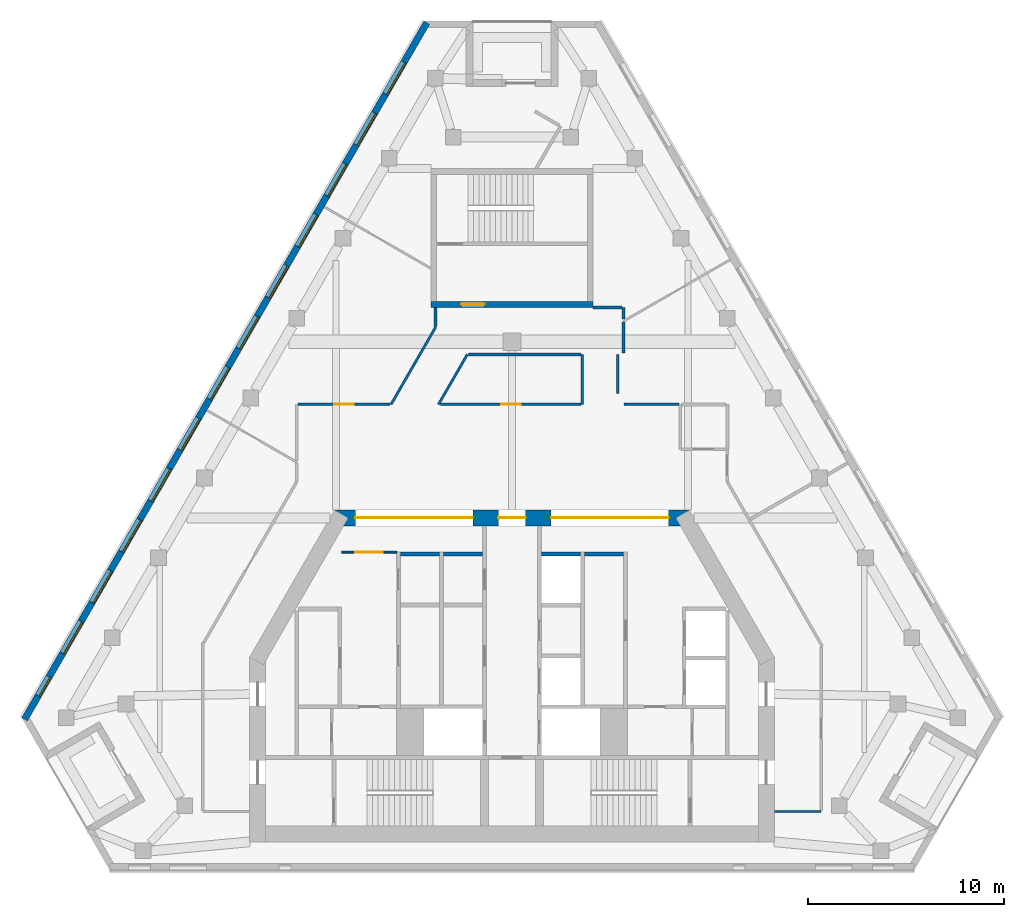
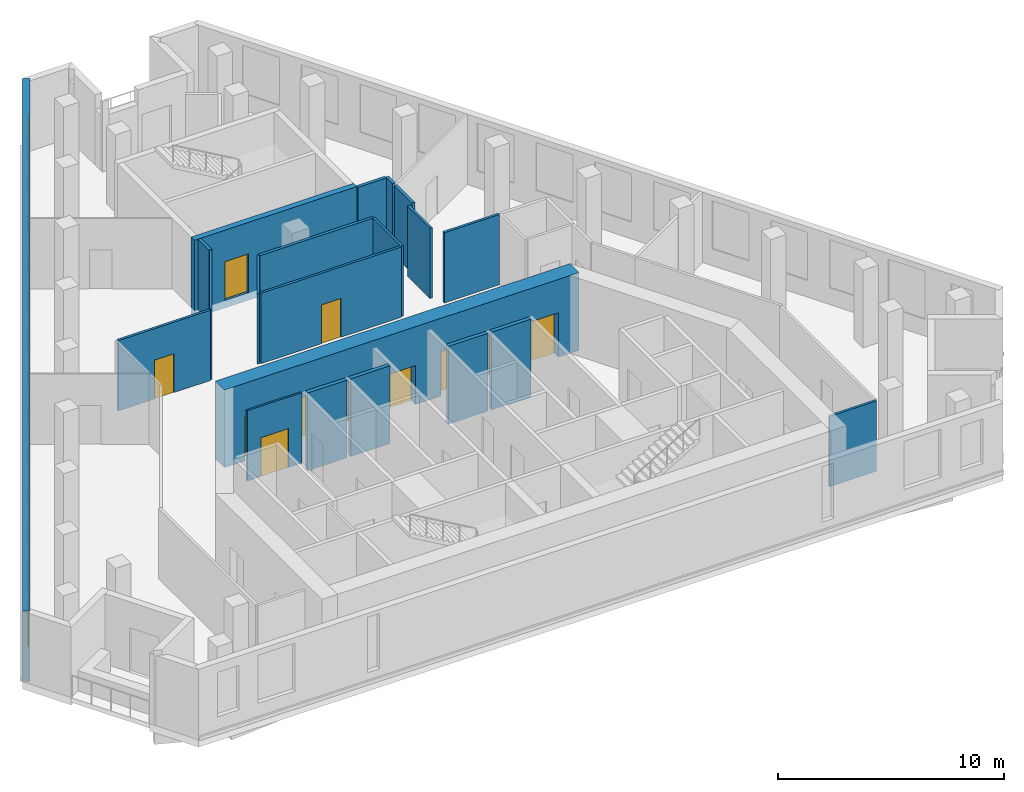
# One storey, part 4 of 8: 21 walls, 13 windows, 7 doors, 20 openings.
"""IFC4 building model written with IfcOpenShell, lengths in metres."""

from ifc_helpers import new_model, si_unit, direction, frame, frame_2d, origin, place, context, subcontext, project, spatial, rectangle, extrude, material, layer, layer_set, type_object, element, fill, save


model = new_model("IFC4")

# Units and contexts
model_context = context("Model", 3, precision=1e-05, world=origin(), true_north=direction((0.0, 1.0)))
body_context = subcontext(model_context, "Body", "Model", "MODEL_VIEW")
ifc_project = project(units=[si_unit("LENGTHUNIT", "METRE"), si_unit("AREAUNIT", "SQUARE_METRE"), si_unit("VOLUMEUNIT", "CUBIC_METRE"), si_unit("PLANEANGLEUNIT", "RADIAN"), si_unit("MASSUNIT", "GRAM", prefix="KILO")], contexts=[model_context])

# Site, building, storey
site_placement = place(None, origin())
site = spatial("IfcSite", under=ifc_project, at=site_placement, CompositionType="ELEMENT")
building_placement = place(site_placement, origin())
building = spatial("IfcBuilding", under=site, at=building_placement, Name="Fogline Exchange Tower", CompositionType="ELEMENT")
storey_placement = place(building_placement, frame((0.0, 0.0, 300.300048828125)))
storey = spatial("IfcBuildingStorey", under=building, at=storey_placement, Name="L68", CompositionType="ELEMENT", Elevation=300.300048828125)

# Wall, opening, door
ifc_material_1 = material(Name="Blockwork partition", Category="masonry")
ifc_layer_1 = layer(ifc_material_1, 0.10009765625)
ifc_layer_set_1 = layer_set([ifc_layer_1], Name="CW10")
wall_type_1 = type_object("IfcWallType", Name="CW10", PredefinedType="PARTITIONING", material=ifc_layer_set_1)
wall_1_placement = place(storey_placement, frame((-8.699951171875, 16.25, 0.0), z_axis=(0.0, 0.0, 1.0), x_axis=(1.0, 0.0, 0.0)))
wall_1 = element("IfcWall", 1, at=wall_1_placement, inside=storey, type_object=wall_type_1, Name="Lift lobby partition", PredefinedType="PARTITIONING", context=body_context, shape_type="SweptSolid", body=[
    extrude(rectangle(XDim=2.800048828125, YDim=0.10009765625, at=frame_2d((1.39990234375, 0.0))), origin(), (0.0, 0.0, 1.0), 3.800048828125),
])
opening_1_placement = place(wall_1_placement, frame((0.699951171875, 0.0, 0.0)))
opening_1 = element("IfcOpeningElement", 2, at=opening_1_placement, cuts=wall_1, Name="Opening T21-C009", PredefinedType="OPENING", context=body_context, shape_type="SweptSolid", body=[
    extrude(rectangle(XDim=1.39990234375, YDim=2.10009765625, at=frame_2d((0.699951171875, 1.050048828125))), frame((0.0, 0.06005859375, 0.0), z_axis=(0.0, -1.0, 0.0), x_axis=(1.0, 0.0, 0.0)), (0.0, 0.0, 1.0), 0.1201171875),
])
ifc_material_2 = material(Name="Steel and timber fire door", Category="steel")
door_type_1 = type_object("IfcDoorType", Name="D-LB1", OperationType="DOUBLE_DOOR_SINGLE_SWING", PredefinedType="DOOR", material=ifc_material_2)
door_1_placement = place(opening_1_placement, origin())
door_1 = element("IfcDoor", 3, at=door_1_placement, inside=storey, type_object=door_type_1, Name="Door to lift lobby", OperationType="DOUBLE_DOOR_SINGLE_SWING", OverallHeight=2.10009765625, OverallWidth=1.39990234375, PredefinedType="DOOR", context=body_context, shape_type="SweptSolid", body=[
    extrude(rectangle(XDim=1.39990234375, YDim=2.10009765625, at=frame_2d((0.699951171875, 1.050048828125))), frame((0.0, 0.02490234375, 0.0), z_axis=(0.0, -1.0, 0.0), x_axis=(1.0, 0.0, 0.0)), (0.0, 0.0, 1.0), 0.050048828125),
])
fill(opening_1, door_1)

# Walls
ifc_material_3 = material(Name="Concrete C40", Category="concrete")
ifc_layer_2 = layer(ifc_material_3, 0.199951171875)
ifc_layer_set_2 = layer_set([ifc_layer_2], Name="CW20S")
wall_type_2 = type_object("IfcWallType", Name="CW20S", PredefinedType="SOLIDWALL", material=ifc_layer_set_2)
for number, where, z_axis, x_axis, name in (
    (4, (-5.699951171875, 16.14990234375, -0.400146484375), (0.0, 0.0, 1.0), (1.0, 0.0, 0.0), "Lift shaft wall"),
    (5, (-3.5, 16.14990234375, -0.400146484375), (0.0, 0.0, 1.0), (1.0, 0.0, 0.0), "Lift shaft wall"),
    (6, (3.699951171875, 16.14990234375, -0.400146484375), (0.0, 0.0, 1.0), (1.0, 0.0, 0.0), "Lift shaft wall"),
    (7, (1.5, 16.14990234375, -0.400146484375), (0.0, 0.0, 1.0), (1.0, 0.0, 0.0), "Lift shaft wall"),
):
    element("IfcWall", number, at=place(storey_placement, frame(where, z_axis=z_axis, x_axis=x_axis)), inside=storey, type_object=wall_type_2, Name=name, PredefinedType="SOLIDWALL", context=body_context, shape_type="SweptSolid", body=[
        extrude(rectangle(XDim=2.0, YDim=0.199951171875, at=frame_2d((1.0, 0.0))), origin(), (0.0, 0.0, 1.0), 4.2001953125),
    ])

# Wall, opening, door
ifc_layer_3 = layer(ifc_material_3, 0.300048828125)
ifc_layer_set_3 = layer_set([ifc_layer_3], Name="CW30")
wall_type_3 = type_object("IfcWallType", Name="CW30", PredefinedType="SOLIDWALL", material=ifc_layer_set_3)
wall_2_placement = place(storey_placement, frame((-4.14990234375, 28.906982421875, -0.400146484375), z_axis=(0.0, 0.0, 1.0), x_axis=(1.0, 0.0, 0.0)))
wall_2 = element("IfcWall", 8, at=wall_2_placement, inside=storey, type_object=wall_type_3, Name="Stair enclosure wall ST3", PredefinedType="SOLIDWALL", context=body_context, shape_type="SweptSolid", body=[
    extrude(rectangle(XDim=8.2998046875, YDim=0.300048828125, at=frame_2d((4.14990234375, 0.0))), origin(), (0.0, 0.0, 1.0), 4.2001953125),
])
opening_2_placement = place(wall_2_placement, frame((1.550048828125, 0.0, 0.39990234375)))
opening_2 = element("IfcOpeningElement", 9, at=opening_2_placement, cuts=wall_2, Name="Opening T21-C023", PredefinedType="OPENING", context=body_context, shape_type="SweptSolid", body=[
    extrude(rectangle(XDim=1.199951171875, YDim=2.10009765625, at=frame_2d((0.60009765625, 1.050048828125))), frame((0.0, 0.16015625, 0.0), z_axis=(0.0, -1.0, 0.0), x_axis=(1.0, 0.0, 0.0)), (0.0, 0.0, 1.0), 0.320068359375),
])
door_type_2 = type_object("IfcDoorType", Name="D-FR1", OperationType="SINGLE_SWING_RIGHT", PredefinedType="DOOR", material=ifc_material_2)
door_2_placement = place(opening_2_placement, origin())
door_2 = element("IfcDoor", 10, at=door_2_placement, inside=storey, type_object=door_type_2, Name="Front room door ST3", OperationType="SINGLE_SWING_LEFT", OverallHeight=2.10009765625, OverallWidth=1.199951171875, PredefinedType="DOOR", context=body_context, shape_type="SweptSolid", body=[
    extrude(rectangle(XDim=1.199951171875, YDim=2.10009765625, at=frame_2d((0.60009765625, 1.050048828125))), frame((0.0, 0.02490234375, 0.0), z_axis=(0.0, -1.0, 0.0), x_axis=(1.0, 0.0, 0.0)), (0.0, 0.0, 1.0), 0.050048828125),
])
fill(opening_2, door_2)

# Wall, openings, windows
ifc_material_4 = material(Name="Brick masonry", Category="masonry")
ifc_layer_4 = layer(ifc_material_4, 0.340087890625)
ifc_layer_set_4 = layer_set([ifc_layer_4], Name="FW1")
wall_type_4 = type_object("IfcWallType", Name="FW1", PredefinedType="SOLIDWALL", material=ifc_layer_set_4)
wall_3_placement = place(storey_placement, frame((-4.352783203125, 43.306640625, 0.0), z_axis=(0.0, 0.0, 1.0), x_axis=(-0.50000128873, -0.866024659735, 0.0)))
wall_3 = element("IfcWall", 11, at=wall_3_placement, inside=storey, type_object=wall_type_4, Name="Brick wall L68 W", PredefinedType="SOLIDWALL", context=body_context, shape_type="SweptSolid", body=[
    extrude(rectangle(XDim=41.1044921875, YDim=0.340087890625, at=frame_2d((20.55224609375, 0.0))), origin(), (0.0, 0.0, 1.0), 3.800048828125),
])
opening_3_placement = place(wall_3_placement, frame((2.328369140625, 0.0, 0.89990234375)))
opening_3 = element("IfcOpeningElement", 12, at=opening_3_placement, cuts=wall_3, Name="Opening W3", PredefinedType="OPENING", context=body_context, shape_type="SweptSolid", body=[
    extrude(rectangle(XDim=1.885009765625, YDim=2.60009765625, at=frame_2d((0.9423828125, 1.300048828125))), frame((0.0, 0.18017578125, 0.0), z_axis=(0.0, -1.0, 0.0), x_axis=(1.0, 0.0, 0.0)), (0.0, 0.0, 1.0), 0.360107421875),
])
opening_4_placement = place(wall_3_placement, frame((5.328369140625, 0.0, 0.89990234375)))
opening_4 = element("IfcOpeningElement", 13, at=opening_4_placement, cuts=wall_3, Name="Opening W3", PredefinedType="OPENING", context=body_context, shape_type="SweptSolid", body=[
    extrude(rectangle(XDim=1.885009765625, YDim=2.60009765625, at=frame_2d((0.9423828125, 1.300048828125))), frame((0.0, 0.18017578125, 0.0), z_axis=(0.0, -1.0, 0.0), x_axis=(1.0, 0.0, 0.0)), (0.0, 0.0, 1.0), 0.360107421875),
])
opening_5_placement = place(wall_3_placement, frame((8.328369140625, 0.0, 0.89990234375)))
opening_5 = element("IfcOpeningElement", 14, at=opening_5_placement, cuts=wall_3, Name="Opening W3", PredefinedType="OPENING", context=body_context, shape_type="SweptSolid", body=[
    extrude(rectangle(XDim=1.885009765625, YDim=2.60009765625, at=frame_2d((0.9423828125, 1.300048828125))), frame((0.0, 0.18017578125, 0.0), z_axis=(0.0, -1.0, 0.0), x_axis=(1.0, 0.0, 0.0)), (0.0, 0.0, 1.0), 0.360107421875),
])
opening_6_placement = place(wall_3_placement, frame((11.328369140625, 0.0, 0.89990234375)))
opening_6 = element("IfcOpeningElement", 15, at=opening_6_placement, cuts=wall_3, Name="Opening W3", PredefinedType="OPENING", context=body_context, shape_type="SweptSolid", body=[
    extrude(rectangle(XDim=1.885009765625, YDim=2.60009765625, at=frame_2d((0.9423828125, 1.300048828125))), frame((0.0, 0.18017578125, 0.0), z_axis=(0.0, -1.0, 0.0), x_axis=(1.0, 0.0, 0.0)), (0.0, 0.0, 1.0), 0.360107421875),
])
opening_7_placement = place(wall_3_placement, frame((14.328369140625, 0.0, 0.89990234375)))
opening_7 = element("IfcOpeningElement", 16, at=opening_7_placement, cuts=wall_3, Name="Opening W3", PredefinedType="OPENING", context=body_context, shape_type="SweptSolid", body=[
    extrude(rectangle(XDim=1.885009765625, YDim=2.60009765625, at=frame_2d((0.9423828125, 1.300048828125))), frame((0.0, 0.18017578125, 0.0), z_axis=(0.0, -1.0, 0.0), x_axis=(1.0, 0.0, 0.0)), (0.0, 0.0, 1.0), 0.360107421875),
])
opening_8_placement = place(wall_3_placement, frame((17.328369140625, 0.0, 0.89990234375)))
opening_8 = element("IfcOpeningElement", 17, at=opening_8_placement, cuts=wall_3, Name="Opening W3", PredefinedType="OPENING", context=body_context, shape_type="SweptSolid", body=[
    extrude(rectangle(XDim=1.885009765625, YDim=2.60009765625, at=frame_2d((0.9423828125, 1.300048828125))), frame((0.0, 0.18017578125, 0.0), z_axis=(0.0, -1.0, 0.0), x_axis=(1.0, 0.0, 0.0)), (0.0, 0.0, 1.0), 0.360107421875),
])
opening_9_placement = place(wall_3_placement, frame((20.328369140625, 0.0, 0.89990234375)))
opening_9 = element("IfcOpeningElement", 18, at=opening_9_placement, cuts=wall_3, Name="Opening W3", PredefinedType="OPENING", context=body_context, shape_type="SweptSolid", body=[
    extrude(rectangle(XDim=1.885009765625, YDim=2.60009765625, at=frame_2d((0.9423828125, 1.300048828125))), frame((0.0, 0.18017578125, 0.0), z_axis=(0.0, -1.0, 0.0), x_axis=(1.0, 0.0, 0.0)), (0.0, 0.0, 1.0), 0.360107421875),
])
opening_10_placement = place(wall_3_placement, frame((23.328369140625, 0.0, 0.89990234375)))
opening_10 = element("IfcOpeningElement", 19, at=opening_10_placement, cuts=wall_3, Name="Opening W3", PredefinedType="OPENING", context=body_context, shape_type="SweptSolid", body=[
    extrude(rectangle(XDim=1.885009765625, YDim=2.60009765625, at=frame_2d((0.9423828125, 1.300048828125))), frame((0.0, 0.18017578125, 0.0), z_axis=(0.0, -1.0, 0.0), x_axis=(1.0, 0.0, 0.0)), (0.0, 0.0, 1.0), 0.360107421875),
])
opening_11_placement = place(wall_3_placement, frame((26.328369140625, 0.0, 0.89990234375)))
opening_11 = element("IfcOpeningElement", 20, at=opening_11_placement, cuts=wall_3, Name="Opening W3", PredefinedType="OPENING", context=body_context, shape_type="SweptSolid", body=[
    extrude(rectangle(XDim=1.885009765625, YDim=2.60009765625, at=frame_2d((0.9423828125, 1.300048828125))), frame((0.0, 0.18017578125, 0.0), z_axis=(0.0, -1.0, 0.0), x_axis=(1.0, 0.0, 0.0)), (0.0, 0.0, 1.0), 0.360107421875),
])
opening_12_placement = place(wall_3_placement, frame((29.328369140625, 0.0, 0.89990234375)))
opening_12 = element("IfcOpeningElement", 21, at=opening_12_placement, cuts=wall_3, Name="Opening W3", PredefinedType="OPENING", context=body_context, shape_type="SweptSolid", body=[
    extrude(rectangle(XDim=1.885009765625, YDim=2.60009765625, at=frame_2d((0.9423828125, 1.300048828125))), frame((0.0, 0.18017578125, 0.0), z_axis=(0.0, -1.0, 0.0), x_axis=(1.0, 0.0, 0.0)), (0.0, 0.0, 1.0), 0.360107421875),
])
opening_13_placement = place(wall_3_placement, frame((32.328369140625, 0.0, 0.89990234375)))
opening_13 = element("IfcOpeningElement", 22, at=opening_13_placement, cuts=wall_3, Name="Opening W3", PredefinedType="OPENING", context=body_context, shape_type="SweptSolid", body=[
    extrude(rectangle(XDim=1.885009765625, YDim=2.60009765625, at=frame_2d((0.9423828125, 1.300048828125))), frame((0.0, 0.18017578125, 0.0), z_axis=(0.0, -1.0, 0.0), x_axis=(1.0, 0.0, 0.0)), (0.0, 0.0, 1.0), 0.360107421875),
])
opening_14_placement = place(wall_3_placement, frame((35.328369140625, 0.0, 0.89990234375)))
opening_14 = element("IfcOpeningElement", 23, at=opening_14_placement, cuts=wall_3, Name="Opening W3", PredefinedType="OPENING", context=body_context, shape_type="SweptSolid", body=[
    extrude(rectangle(XDim=1.885009765625, YDim=2.60009765625, at=frame_2d((0.9423828125, 1.300048828125))), frame((0.0, 0.18017578125, 0.0), z_axis=(0.0, -1.0, 0.0), x_axis=(1.0, 0.0, 0.0)), (0.0, 0.0, 1.0), 0.360107421875),
])
opening_15_placement = place(wall_3_placement, frame((38.601318359375, 0.0, 0.89990234375)))
opening_15 = element("IfcOpeningElement", 24, at=opening_15_placement, cuts=wall_3, Name="Opening W4", PredefinedType="OPENING", context=body_context, shape_type="SweptSolid", body=[
    extrude(rectangle(XDim=1.114990234375, YDim=2.39990234375, at=frame_2d((0.5576171875, 1.199951171875))), frame((0.0, 0.18017578125, 0.0), z_axis=(0.0, -1.0, 0.0), x_axis=(1.0, 0.0, 0.0)), (0.0, 0.0, 1.0), 0.360107421875),
])
ifc_material_5 = material(Name="Aluminium and glass", Category="aluminium")
window_type_1 = type_object("IfcWindowType", Name="W3", PartitioningType="SINGLE_PANEL", PredefinedType="WINDOW", material=ifc_material_5)
window_1_placement = place(opening_3_placement, origin())
window_1 = element("IfcWindow", 25, at=window_1_placement, inside=storey, type_object=window_type_1, Name="W3 W3", OverallHeight=2.60009765625, OverallWidth=1.885009765625, PartitioningType="SINGLE_PANEL", PredefinedType="WINDOW", context=body_context, shape_type="SweptSolid", body=[
    extrude(rectangle(XDim=1.885009765625, YDim=2.60009765625, at=frame_2d((0.9423828125, 1.300048828125))), frame((0.0, 0.110107421875, 0.0), z_axis=(0.0, -1.0, 0.0), x_axis=(1.0, 0.0, 0.0)), (0.0, 0.0, 1.0), 0.06005859375),
])
fill(opening_3, window_1)
window_2_placement = place(opening_4_placement, origin())
window_2 = element("IfcWindow", 26, at=window_2_placement, inside=storey, type_object=window_type_1, Name="W3 W3", OverallHeight=2.60009765625, OverallWidth=1.885009765625, PartitioningType="SINGLE_PANEL", PredefinedType="WINDOW", context=body_context, shape_type="SweptSolid", body=[
    extrude(rectangle(XDim=1.885009765625, YDim=2.60009765625, at=frame_2d((0.9423828125, 1.300048828125))), frame((0.0, 0.110107421875, 0.0), z_axis=(0.0, -1.0, 0.0), x_axis=(1.0, 0.0, 0.0)), (0.0, 0.0, 1.0), 0.06005859375),
])
fill(opening_4, window_2)
window_3_placement = place(opening_5_placement, origin())
window_3 = element("IfcWindow", 27, at=window_3_placement, inside=storey, type_object=window_type_1, Name="W3 W3", OverallHeight=2.60009765625, OverallWidth=1.885009765625, PartitioningType="SINGLE_PANEL", PredefinedType="WINDOW", context=body_context, shape_type="SweptSolid", body=[
    extrude(rectangle(XDim=1.885009765625, YDim=2.60009765625, at=frame_2d((0.9423828125, 1.300048828125))), frame((0.0, 0.110107421875, 0.0), z_axis=(0.0, -1.0, 0.0), x_axis=(1.0, 0.0, 0.0)), (0.0, 0.0, 1.0), 0.06005859375),
])
fill(opening_5, window_3)
window_4_placement = place(opening_6_placement, origin())
window_4 = element("IfcWindow", 28, at=window_4_placement, inside=storey, type_object=window_type_1, Name="W3 W3", OverallHeight=2.60009765625, OverallWidth=1.885009765625, PartitioningType="SINGLE_PANEL", PredefinedType="WINDOW", context=body_context, shape_type="SweptSolid", body=[
    extrude(rectangle(XDim=1.885009765625, YDim=2.60009765625, at=frame_2d((0.9423828125, 1.300048828125))), frame((0.0, 0.110107421875, 0.0), z_axis=(0.0, -1.0, 0.0), x_axis=(1.0, 0.0, 0.0)), (0.0, 0.0, 1.0), 0.06005859375),
])
fill(opening_6, window_4)
window_5_placement = place(opening_7_placement, origin())
window_5 = element("IfcWindow", 29, at=window_5_placement, inside=storey, type_object=window_type_1, Name="W3 W3", OverallHeight=2.60009765625, OverallWidth=1.885009765625, PartitioningType="SINGLE_PANEL", PredefinedType="WINDOW", context=body_context, shape_type="SweptSolid", body=[
    extrude(rectangle(XDim=1.885009765625, YDim=2.60009765625, at=frame_2d((0.9423828125, 1.300048828125))), frame((0.0, 0.110107421875, 0.0), z_axis=(0.0, -1.0, 0.0), x_axis=(1.0, 0.0, 0.0)), (0.0, 0.0, 1.0), 0.06005859375),
])
fill(opening_7, window_5)
window_6_placement = place(opening_8_placement, origin())
window_6 = element("IfcWindow", 30, at=window_6_placement, inside=storey, type_object=window_type_1, Name="W3 W3", OverallHeight=2.60009765625, OverallWidth=1.885009765625, PartitioningType="SINGLE_PANEL", PredefinedType="WINDOW", context=body_context, shape_type="SweptSolid", body=[
    extrude(rectangle(XDim=1.885009765625, YDim=2.60009765625, at=frame_2d((0.9423828125, 1.300048828125))), frame((0.0, 0.110107421875, 0.0), z_axis=(0.0, -1.0, 0.0), x_axis=(1.0, 0.0, 0.0)), (0.0, 0.0, 1.0), 0.06005859375),
])
fill(opening_8, window_6)
window_7_placement = place(opening_9_placement, origin())
window_7 = element("IfcWindow", 31, at=window_7_placement, inside=storey, type_object=window_type_1, Name="W3 W3", OverallHeight=2.60009765625, OverallWidth=1.885009765625, PartitioningType="SINGLE_PANEL", PredefinedType="WINDOW", context=body_context, shape_type="SweptSolid", body=[
    extrude(rectangle(XDim=1.885009765625, YDim=2.60009765625, at=frame_2d((0.9423828125, 1.300048828125))), frame((0.0, 0.110107421875, 0.0), z_axis=(0.0, -1.0, 0.0), x_axis=(1.0, 0.0, 0.0)), (0.0, 0.0, 1.0), 0.06005859375),
])
fill(opening_9, window_7)
window_8_placement = place(opening_10_placement, origin())
window_8 = element("IfcWindow", 32, at=window_8_placement, inside=storey, type_object=window_type_1, Name="W3 W3", OverallHeight=2.60009765625, OverallWidth=1.885009765625, PartitioningType="SINGLE_PANEL", PredefinedType="WINDOW", context=body_context, shape_type="SweptSolid", body=[
    extrude(rectangle(XDim=1.885009765625, YDim=2.60009765625, at=frame_2d((0.9423828125, 1.300048828125))), frame((0.0, 0.110107421875, 0.0), z_axis=(0.0, -1.0, 0.0), x_axis=(1.0, 0.0, 0.0)), (0.0, 0.0, 1.0), 0.06005859375),
])
fill(opening_10, window_8)
window_9_placement = place(opening_11_placement, origin())
window_9 = element("IfcWindow", 33, at=window_9_placement, inside=storey, type_object=window_type_1, Name="W3 W3", OverallHeight=2.60009765625, OverallWidth=1.885009765625, PartitioningType="SINGLE_PANEL", PredefinedType="WINDOW", context=body_context, shape_type="SweptSolid", body=[
    extrude(rectangle(XDim=1.885009765625, YDim=2.60009765625, at=frame_2d((0.9423828125, 1.300048828125))), frame((0.0, 0.110107421875, 0.0), z_axis=(0.0, -1.0, 0.0), x_axis=(1.0, 0.0, 0.0)), (0.0, 0.0, 1.0), 0.06005859375),
])
fill(opening_11, window_9)
window_10_placement = place(opening_12_placement, origin())
window_10 = element("IfcWindow", 34, at=window_10_placement, inside=storey, type_object=window_type_1, Name="W3 W3", OverallHeight=2.60009765625, OverallWidth=1.885009765625, PartitioningType="SINGLE_PANEL", PredefinedType="WINDOW", context=body_context, shape_type="SweptSolid", body=[
    extrude(rectangle(XDim=1.885009765625, YDim=2.60009765625, at=frame_2d((0.9423828125, 1.300048828125))), frame((0.0, 0.110107421875, 0.0), z_axis=(0.0, -1.0, 0.0), x_axis=(1.0, 0.0, 0.0)), (0.0, 0.0, 1.0), 0.06005859375),
])
fill(opening_12, window_10)
window_11_placement = place(opening_13_placement, origin())
window_11 = element("IfcWindow", 35, at=window_11_placement, inside=storey, type_object=window_type_1, Name="W3 W3", OverallHeight=2.60009765625, OverallWidth=1.885009765625, PartitioningType="SINGLE_PANEL", PredefinedType="WINDOW", context=body_context, shape_type="SweptSolid", body=[
    extrude(rectangle(XDim=1.885009765625, YDim=2.60009765625, at=frame_2d((0.9423828125, 1.300048828125))), frame((0.0, 0.110107421875, 0.0), z_axis=(0.0, -1.0, 0.0), x_axis=(1.0, 0.0, 0.0)), (0.0, 0.0, 1.0), 0.06005859375),
])
fill(opening_13, window_11)
window_12_placement = place(opening_14_placement, origin())
window_12 = element("IfcWindow", 36, at=window_12_placement, inside=storey, type_object=window_type_1, Name="W3 W3", OverallHeight=2.60009765625, OverallWidth=1.885009765625, PartitioningType="SINGLE_PANEL", PredefinedType="WINDOW", context=body_context, shape_type="SweptSolid", body=[
    extrude(rectangle(XDim=1.885009765625, YDim=2.60009765625, at=frame_2d((0.9423828125, 1.300048828125))), frame((0.0, 0.110107421875, 0.0), z_axis=(0.0, -1.0, 0.0), x_axis=(1.0, 0.0, 0.0)), (0.0, 0.0, 1.0), 0.06005859375),
])
fill(opening_14, window_12)
window_type_2 = type_object("IfcWindowType", Name="W4", PartitioningType="SINGLE_PANEL", PredefinedType="WINDOW", material=ifc_material_5)
window_13_placement = place(opening_15_placement, origin())
window_13 = element("IfcWindow", 37, at=window_13_placement, inside=storey, type_object=window_type_2, Name="W4 W4", OverallHeight=2.39990234375, OverallWidth=1.114990234375, PartitioningType="SINGLE_PANEL", PredefinedType="WINDOW", context=body_context, shape_type="SweptSolid", body=[
    extrude(rectangle(XDim=1.114990234375, YDim=2.39990234375, at=frame_2d((0.5576171875, 1.199951171875))), frame((0.0, 0.110107421875, 0.0), z_axis=(0.0, -1.0, 0.0), x_axis=(1.0, 0.0, 0.0)), (0.0, 0.0, 1.0), 0.06005859375),
])
fill(opening_15, window_13)

# Walls
ifc_material_6 = material(Name="Plasterboard corridor partition with mineral wool, 2 layers each side")
ifc_layer_5 = layer(ifc_material_6, 0.125)
ifc_layer_set_5 = layer_set([ifc_layer_5], Name="PW2")
wall_type_5 = type_object("IfcWallType", Name="PW2", PredefinedType="PARTITIONING", material=ifc_layer_set_5)
wall_4_placement = place(storey_placement, frame((15.800048828125, 3.0, 0.0), z_axis=(0.0, 0.0, 1.0), x_axis=(-1.0, 0.0, 0.0)))
element("IfcWall", 38, at=wall_4_placement, inside=storey, type_object=wall_type_5, Name="wall-L68-W004", PredefinedType="PARTITIONING", context=body_context, shape_type="SweptSolid", body=[
    extrude(rectangle(XDim=2.400146484375, YDim=0.125, at=frame_2d((1.2001953125, 0.0))), origin(), (0.0, 0.0, 1.0), 3.800048828125),
])
wall_5_placement = place(storey_placement, frame((5.71923828125, 23.800048828125, 0.0), z_axis=(0.0, 0.0, 1.0), x_axis=(1.0, 0.0, 0.0)))
element("IfcWall", 39, at=wall_5_placement, inside=storey, type_object=wall_type_5, Name="wall-L68-W007", PredefinedType="PARTITIONING", context=body_context, shape_type="SweptSolid", body=[
    extrude(rectangle(XDim=2.81787109375, YDim=0.125, at=frame_2d((1.408935546875, 0.0))), origin(), (0.0, 0.0, 1.0), 3.800048828125),
])

# Wall, opening, door
wall_6_placement = place(storey_placement, frame((-3.6474609375, 23.800048828125, 0.0), z_axis=(0.0, 0.0, 1.0), x_axis=(1.0, 0.0, 0.0)))
wall_6 = element("IfcWall", 40, at=wall_6_placement, inside=storey, type_object=wall_type_5, Name="wall-L68-W009", PredefinedType="PARTITIONING", context=body_context, shape_type="SweptSolid", body=[
    extrude(rectangle(XDim=7.18505859375, YDim=0.125, at=frame_2d((3.592529296875, 0.0))), origin(), (0.0, 0.0, 1.0), 3.800048828125),
])
opening_16_placement = place(wall_6_placement, frame((3.092529296875, 0.0, 0.0)))
opening_16 = element("IfcOpeningElement", 41, at=opening_16_placement, cuts=wall_6, Name="Opening T21-D004", PredefinedType="OPENING", context=body_context, shape_type="SweptSolid", body=[
    extrude(rectangle(XDim=1.0, YDim=2.10009765625, at=frame_2d((0.5, 1.050048828125))), frame((0.0, 0.072509765625, 0.0), z_axis=(0.0, -1.0, 0.0), x_axis=(1.0, 0.0, 0.0)), (0.0, 0.0, 1.0), 0.14501953125),
])
ifc_material_7 = material(Name="Fire-rated timber door leaf with steel frame", Category="steel")
door_type_3 = type_object("IfcDoorType", Name="D3", OperationType="SINGLE_SWING_LEFT", PredefinedType="DOOR", material=ifc_material_7)
door_3_placement = place(opening_16_placement, origin())
door_3 = element("IfcDoor", 42, at=door_3_placement, inside=storey, type_object=door_type_3, Name="door-L68-D004", OperationType="SINGLE_SWING_LEFT", OverallHeight=2.10009765625, OverallWidth=1.0, PredefinedType="DOOR", context=body_context, shape_type="SweptSolid", body=[
    extrude(rectangle(XDim=1.0, YDim=2.10009765625, at=frame_2d((0.5, 1.050048828125))), frame((0.0, 0.02490234375, 0.0), z_axis=(0.0, -1.0, 0.0), x_axis=(1.0, 0.0, 0.0)), (0.0, 0.0, 1.0), 0.050048828125),
])
fill(opening_16, door_3)

wall_7_placement = place(storey_placement, frame((-10.9375, 23.800048828125, 0.0), z_axis=(0.0, 0.0, 1.0), x_axis=(1.0, 0.0, 0.0)))
wall_7 = element("IfcWall", 43, at=wall_7_placement, inside=storey, type_object=wall_type_5, Name="wall-L68-W011", PredefinedType="PARTITIONING", context=body_context, shape_type="SweptSolid", body=[
    extrude(rectangle(XDim=4.70263671875, YDim=0.125, at=frame_2d((2.351318359375, 0.0))), origin(), (0.0, 0.0, 1.0), 3.800048828125),
])
opening_17_placement = place(wall_7_placement, frame((1.851318359375, 0.0, 0.0)))
opening_17 = element("IfcOpeningElement", 44, at=opening_17_placement, cuts=wall_7, Name="Opening T21-D005", PredefinedType="OPENING", context=body_context, shape_type="SweptSolid", body=[
    extrude(rectangle(XDim=1.0, YDim=2.10009765625, at=frame_2d((0.5, 1.050048828125))), frame((0.0, 0.072509765625, 0.0), z_axis=(0.0, -1.0, 0.0), x_axis=(1.0, 0.0, 0.0)), (0.0, 0.0, 1.0), 0.14501953125),
])
door_4_placement = place(opening_17_placement, origin())
door_4 = element("IfcDoor", 45, at=door_4_placement, inside=storey, type_object=door_type_3, Name="door-L68-D005", OperationType="SINGLE_SWING_LEFT", OverallHeight=2.10009765625, OverallWidth=1.0, PredefinedType="DOOR", context=body_context, shape_type="SweptSolid", body=[
    extrude(rectangle(XDim=1.0, YDim=2.10009765625, at=frame_2d((0.5, 1.050048828125))), frame((0.0, 0.02490234375, 0.0), z_axis=(0.0, -1.0, 0.0), x_axis=(1.0, 0.0, 0.0)), (0.0, 0.0, 1.0), 0.050048828125),
])
fill(opening_17, door_4)

# Walls
wall_8_placement = place(storey_placement, frame((5.39990234375, 26.35693359375, 0.0), z_axis=(0.0, 0.0, 1.0), x_axis=(0.0, -1.0, 0.0)))
element("IfcWall", 46, at=wall_8_placement, inside=storey, type_object=wall_type_5, Name="wall-L68-W021", PredefinedType="PARTITIONING", context=body_context, shape_type="SweptSolid", body=[
    extrude(rectangle(XDim=2.004150390625, YDim=0.125, at=frame_2d((1.001953125, 0.0))), origin(), (0.0, 0.0, 1.0), 3.800048828125),
])
wall_9_placement = place(storey_placement, frame((3.60009765625, 23.800048828125, 0.0), z_axis=(0.0, 0.0, 1.0), x_axis=(0.0, 1.0, 0.0)))
element("IfcWall", 47, at=wall_9_placement, inside=storey, type_object=wall_type_5, Name="wall-L68-W022", PredefinedType="PARTITIONING", context=body_context, shape_type="SweptSolid", body=[
    extrude(rectangle(XDim=2.556884765625, YDim=0.125, at=frame_2d((1.2783203125, 0.0))), origin(), (0.0, 0.0, 1.0), 3.800048828125),
])
wall_10_placement = place(storey_placement, frame((-2.27978515625, 26.35693359375, 0.0), z_axis=(0.0, 0.0, 1.0), x_axis=(-0.500025466029, -0.866010700467, 0.0)))
element("IfcWall", 48, at=wall_10_placement, inside=storey, type_object=wall_type_5, Name="wall-L68-W023", PredefinedType="PARTITIONING", context=body_context, shape_type="SweptSolid", body=[
    extrude(rectangle(XDim=2.952392578125, YDim=0.125, at=frame_2d((1.47607421875, 0.0))), origin(), (0.0, 0.0, 1.0), 3.800048828125),
])
wall_11_placement = place(storey_placement, frame((-6.180908203125, 23.800048828125, 0.0), z_axis=(0.0, 0.0, 1.0), x_axis=(0.49998958839, 0.866031414847, 0.0)))
element("IfcWall", 49, at=wall_11_placement, inside=storey, type_object=wall_type_5, Name="wall-L68-W024", PredefinedType="PARTITIONING", context=body_context, shape_type="SweptSolid", body=[
    extrude(rectangle(XDim=4.56201171875, YDim=0.125, at=frame_2d((2.281005859375, 0.0))), origin(), (0.0, 0.0, 1.0), 3.800048828125),
])
ifc_material_8 = material(Name="Plasterboard stair lobby partition, 3 layers each side on steel studs", Category="steel")
ifc_layer_6 = layer(ifc_material_8, 0.14990234375)
ifc_layer_set_6 = layer_set([ifc_layer_6], Name="PW4")
wall_type_6 = type_object("IfcWallType", Name="PW4", PredefinedType="PARTITIONING", material=ifc_layer_set_6)
wall_12_placement = place(storey_placement, frame((5.699951171875, 28.0068359375, 0.0), z_axis=(0.0, 0.0, 1.0), x_axis=(0.0, -1.0, 0.0)))
element("IfcWall", 50, at=wall_12_placement, inside=storey, type_object=wall_type_6, Name="wall-L68-W016", PredefinedType="PARTITIONING", context=body_context, shape_type="SweptSolid", body=[
    extrude(rectangle(XDim=1.574951171875, YDim=0.14990234375, at=frame_2d((0.78759765625, 0.0))), origin(), (0.0, 0.0, 1.0), 3.800048828125),
])
wall_13_placement = place(storey_placement, frame((4.14990234375, 28.757080078125, 0.0), z_axis=(0.0, 0.0, 1.0), x_axis=(1.0, 0.0, 0.0)))
element("IfcWall", 51, at=wall_13_placement, inside=storey, type_object=wall_type_6, Name="wall-L68-W017", PredefinedType="PARTITIONING", context=body_context, shape_type="SweptSolid", body=[
    extrude(rectangle(XDim=1.47509765625, YDim=0.14990234375, at=frame_2d((0.737548828125, 0.0))), origin(), (0.0, 0.0, 1.0), 3.800048828125),
])
wall_14_placement = place(storey_placement, frame((5.699951171875, 28.757080078125, 0.0), z_axis=(0.0, 0.0, 1.0), x_axis=(0.0, -1.0, 0.0)))
element("IfcWall", 52, at=wall_14_placement, inside=storey, type_object=wall_type_6, Name="wall-L68-W018", PredefinedType="PARTITIONING", context=body_context, shape_type="SweptSolid", body=[
    extrude(rectangle(XDim=0.60498046875, YDim=0.14990234375, at=frame_2d((0.302490234375, 0.0))), origin(), (0.0, 0.0, 1.0), 3.800048828125),
])
wall_15_placement = place(storey_placement, frame((3.53759765625, 26.35693359375, 0.0), z_axis=(0.0, 0.0, 1.0), x_axis=(-1.0, 0.0, 0.0)))
element("IfcWall", 53, at=wall_15_placement, inside=storey, type_object=wall_type_6, Name="wall-L68-W019", PredefinedType="PARTITIONING", context=body_context, shape_type="SweptSolid", body=[
    extrude(rectangle(XDim=5.763671875, YDim=0.14990234375, at=frame_2d((2.8818359375, 0.0))), origin(), (0.0, 0.0, 1.0), 3.800048828125),
])
wall_16_placement = place(storey_placement, frame((-3.89990234375, 27.781982421875, 0.0), z_axis=(0.0, 0.0, 1.0), x_axis=(0.0, 1.0, 0.0)))
element("IfcWall", 54, at=wall_16_placement, inside=storey, type_object=wall_type_6, Name="wall-L68-W020", PredefinedType="PARTITIONING", context=body_context, shape_type="SweptSolid", body=[
    extrude(rectangle(XDim=0.97509765625, YDim=0.14990234375, at=frame_2d((0.487548828125, 0.0))), origin(), (0.0, 0.0, 1.0), 3.800048828125),
])

# Wall, openings, doors
ifc_material_9 = material(Name="Concrete C50", Category="concrete")
ifc_layer_7 = layer(ifc_material_9, 0.800048828125)
ifc_layer_set_7 = layer_set([ifc_layer_7], Name="SW04")
wall_type_7 = type_object("IfcWallType", Name="SW04", PredefinedType="SHEAR", material=ifc_layer_set_7)
wall_17_placement = place(storey_placement, frame((9.065185546875, 18.0, 0.0), z_axis=(0.0, 0.0, 1.0), x_axis=(-1.0, 0.0, 0.0)))
wall_17 = element("IfcWall", 55, at=wall_17_placement, inside=storey, type_object=wall_type_7, Name="L68-W904", PredefinedType="SHEAR", context=body_context, shape_type="SweptSolid", body=[
    extrude(rectangle(XDim=18.13037109375, YDim=0.800048828125, at=frame_2d((9.065185546875, 0.0))), origin(), (0.0, 0.0, 1.0), 4.199951171875),
])
opening_18_placement = place(wall_17_placement, frame((8.364990234375, 0.0, 0.0)))
opening_18 = element("IfcOpeningElement", 56, at=opening_18_placement, cuts=wall_17, Name="Opening T21-C020", PredefinedType="OPENING", context=body_context, shape_type="SweptSolid", body=[
    extrude(rectangle(XDim=1.39990234375, YDim=2.10009765625, at=frame_2d((0.699951171875, 1.050048828125))), frame((0.0, 0.41015625, 0.0), z_axis=(0.0, -1.0, 0.0), x_axis=(1.0, 0.0, 0.0)), (0.0, 0.0, 1.0), 0.820068359375),
])
opening_19_placement = place(wall_17_placement, frame((11.065185546875, 0.0, 0.0)))
opening_19 = element("IfcOpeningElement", 57, at=opening_19_placement, cuts=wall_17, Name="Opening T21-C021", PredefinedType="OPENING", context=body_context, shape_type="SweptSolid", body=[
    extrude(rectangle(XDim=6.0, YDim=2.39990234375, at=frame_2d((3.0, 1.199951171875))), frame((0.0, 0.41015625, 0.0), z_axis=(0.0, -1.0, 0.0), x_axis=(1.0, 0.0, 0.0)), (0.0, 0.0, 1.0), 0.820068359375),
])
opening_20_placement = place(wall_17_placement, frame((1.065185546875, 0.0, 0.0)))
opening_20 = element("IfcOpeningElement", 58, at=opening_20_placement, cuts=wall_17, Name="Opening T21-C022", PredefinedType="OPENING", context=body_context, shape_type="SweptSolid", body=[
    extrude(rectangle(XDim=6.0, YDim=2.39990234375, at=frame_2d((3.0, 1.199951171875))), frame((0.0, 0.41015625, 0.0), z_axis=(0.0, -1.0, 0.0), x_axis=(1.0, 0.0, 0.0)), (0.0, 0.0, 1.0), 0.820068359375),
])
door_5_placement = place(opening_18_placement, origin())
door_5 = element("IfcDoor", 59, at=door_5_placement, inside=storey, type_object=door_type_1, Name="Protected lobby door", OperationType="DOUBLE_DOOR_SINGLE_SWING", OverallHeight=2.10009765625, OverallWidth=1.39990234375, PredefinedType="DOOR", context=body_context, shape_type="SweptSolid", body=[
    extrude(rectangle(XDim=1.39990234375, YDim=2.10009765625, at=frame_2d((0.699951171875, 1.050048828125))), frame((0.0, 0.02490234375, 0.0), z_axis=(0.0, -1.0, 0.0), x_axis=(1.0, 0.0, 0.0)), (0.0, 0.0, 1.0), 0.050048828125),
])
fill(opening_18, door_5)
door_type_4 = type_object("IfcDoorType", Name="D-LE1", OperationType="DOUBLE_DOOR_SLIDING", PredefinedType="DOOR", material=ifc_material_2)
door_6_placement = place(opening_19_placement, origin())
door_6 = element("IfcDoor", 60, at=door_6_placement, inside=storey, type_object=door_type_4, Name="Lift lobby entrance west", OperationType="DOUBLE_DOOR_SLIDING", OverallHeight=2.39990234375, OverallWidth=6.0, PredefinedType="DOOR", context=body_context, shape_type="SweptSolid", body=[
    extrude(rectangle(XDim=6.0, YDim=2.39990234375, at=frame_2d((3.0, 1.199951171875))), frame((0.0, 0.02490234375, 0.0), z_axis=(0.0, -1.0, 0.0), x_axis=(1.0, 0.0, 0.0)), (0.0, 0.0, 1.0), 0.050048828125),
])
fill(opening_19, door_6)
door_7_placement = place(opening_20_placement, origin())
door_7 = element("IfcDoor", 61, at=door_7_placement, inside=storey, type_object=door_type_4, Name="Lift lobby entrance east", OperationType="DOUBLE_DOOR_SLIDING", OverallHeight=2.39990234375, OverallWidth=6.0, PredefinedType="DOOR", context=body_context, shape_type="SweptSolid", body=[
    extrude(rectangle(XDim=6.0, YDim=2.39990234375, at=frame_2d((3.0, 1.199951171875))), frame((0.0, 0.02490234375, 0.0), z_axis=(0.0, -1.0, 0.0), x_axis=(1.0, 0.0, 0.0)), (0.0, 0.0, 1.0), 0.050048828125),
])
fill(opening_20, door_7)

save(model, "model.ifc")
